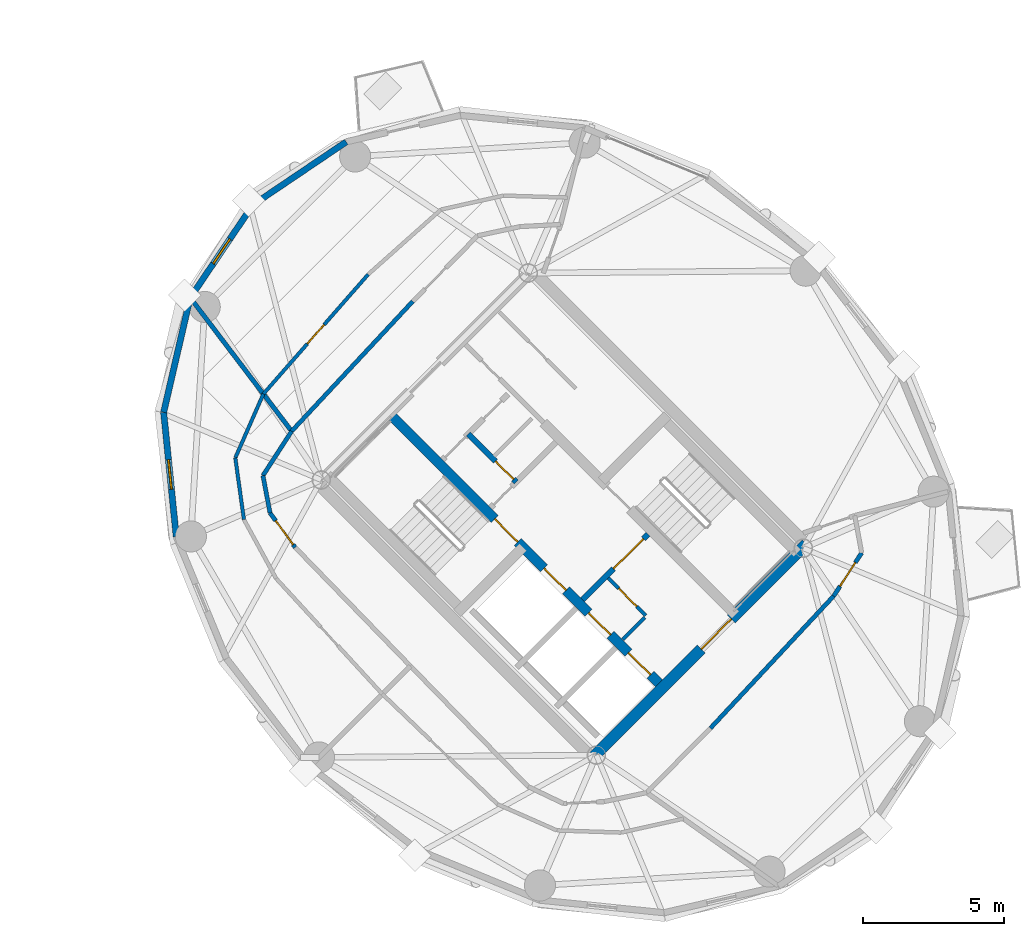
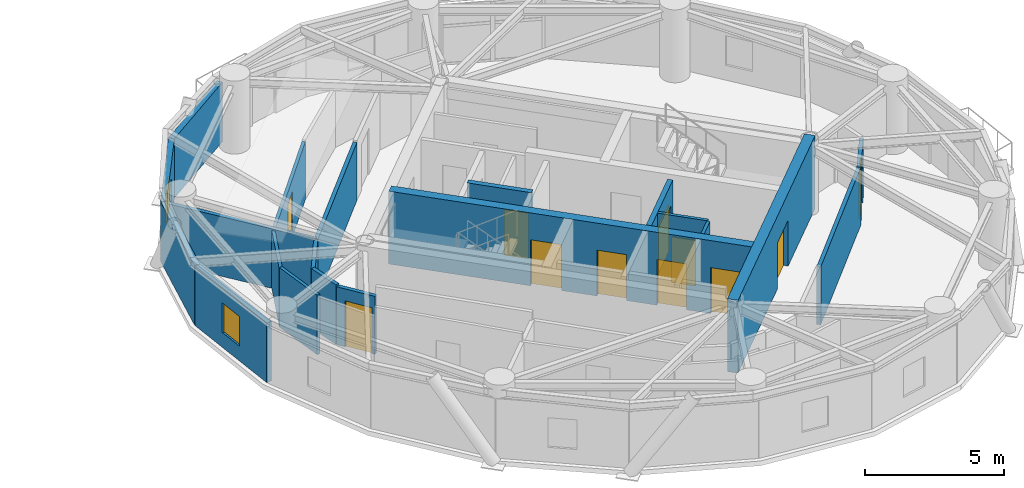
# One storey, part 11 of 16: 20 walls, 11 doors, 2 windows, 13 openings.
"""IFC4 building model written with IfcOpenShell, lengths in metres."""

from ifc_helpers import new_model, si_unit, direction, frame, frame_2d, origin, place, context, subcontext, project, spatial, rectangle, extrude, source, transform, mapped, material, layer, layer_set, type_object, element, fill, save


model = new_model("IFC4")

# Units and contexts
model_context = context("Model", 3, precision=1e-05, world=origin(), true_north=direction((0.0, 1.0)))
body_context = subcontext(model_context, "Body", "Model", "MODEL_VIEW")
ifc_project = project(units=[si_unit("LENGTHUNIT", "METRE"), si_unit("AREAUNIT", "SQUARE_METRE"), si_unit("VOLUMEUNIT", "CUBIC_METRE"), si_unit("PLANEANGLEUNIT", "RADIAN"), si_unit("MASSUNIT", "GRAM", prefix="KILO")], contexts=[model_context])

# Site, building, storey
site_placement = place(None, origin())
site = spatial("IfcSite", under=ifc_project, at=site_placement, CompositionType="ELEMENT")
building_placement = place(site_placement, origin())
building = spatial("IfcBuilding", under=site, at=building_placement, Name="Cununo Teusaquillo Station Towers", CompositionType="ELEMENT")
storey_placement = place(building_placement, frame((0.0, 0.0, 226.050048828125)))
storey = spatial("IfcBuildingStorey", under=building, at=storey_placement, Name="L72", CompositionType="ELEMENT", Elevation=226.050048828125)

# Wall, openings, doors
ifc_material_1 = material(Name="Concrete C50/60", Category="concrete")
ifc_layer_1 = layer(ifc_material_1, 0.35009765625)
ifc_layer_set_1 = layer_set([ifc_layer_1], Name="Concrete C50/60")
wall_type_1 = type_object("IfcWallType", Name="WL-CORE-350", PredefinedType="SHEAR", material=ifc_layer_set_1)
wall_1_placement = place(storey_placement, frame((61.060302734375, 18.372802734375, 0.0), z_axis=(0.0, 0.0, 1.0), x_axis=(-0.707106781187, 0.707106781187, 0.0)))
wall_1 = element("IfcWall", 1, at=wall_1_placement, inside=storey, type_object=wall_type_1, Name="L72 Tower B Core Shear Wall IW", PredefinedType="SHEAR", context=body_context, shape_type="SweptSolid", body=[
    extrude(rectangle(XDim=13.7001953125, YDim=0.35009765625, at=frame_2d((6.85009765625, 0.0))), origin(), (0.0, 0.0, 1.0), 3.199951171875),
])
shared_shape_1 = source(origin(), body_context, "Body", "SweptSolid", [
    extrude(rectangle(XDim=1.10009765625, YDim=2.014892578125, at=frame_2d((0.550048828125, 1.00732421875))), frame((0.0, 0.18505859375, 0.0), z_axis=(0.0, -1.0, 0.0), x_axis=(1.0, 0.0, 0.0)), (0.0, 0.0, 1.0), 0.3701171875),
])
opening_1_placement = place(wall_1_placement, frame((4.85009765625, 0.0, 0.0)))
opening_1 = element("IfcOpeningElement", 2, at=opening_1_placement, cuts=wall_1, Name="Opening LD-01", PredefinedType="OPENING", context=body_context, shape_type="MappedRepresentation", body=[
    mapped(shared_shape_1, transform((0.0, 0.0, 0.0), x_axis=(1.0, 0.0, 0.0), y_axis=(0.0, 1.0, 0.0), z_axis=(0.0, 0.0, 1.0), scale=1.0)),
])
opening_2_placement = place(wall_1_placement, frame((0.625, 0.0, 0.0)))
opening_2 = element("IfcOpeningElement", 3, at=opening_2_placement, cuts=wall_1, Name="Opening LD-01", PredefinedType="OPENING", context=body_context, shape_type="MappedRepresentation", body=[
    mapped(shared_shape_1, transform((0.0, 0.0, 0.0), x_axis=(1.0, 0.0, 0.0), y_axis=(0.0, 1.0, 0.0), z_axis=(0.0, 0.0, 1.0), scale=1.0)),
])
opening_3_placement = place(wall_1_placement, frame((2.625, 0.0, 0.0)))
opening_3 = element("IfcOpeningElement", 4, at=opening_3_placement, cuts=wall_1, Name="Opening LD-01", PredefinedType="OPENING", context=body_context, shape_type="MappedRepresentation", body=[
    mapped(shared_shape_1, transform((0.0, 0.0, 0.0), x_axis=(1.0, 0.0, 0.0), y_axis=(0.0, 1.0, 0.0), z_axis=(0.0, 0.0, 1.0), scale=1.0)),
])
shared_shape_2 = source(origin(), body_context, "Body", "SweptSolid", [
    extrude(rectangle(XDim=1.14990234375, YDim=2.02001953125, at=frame_2d((0.574951171875, 1.010009765625))), frame((0.0, 0.18505859375, 0.0), z_axis=(0.0, -1.0, 0.0), x_axis=(1.0, 0.0, 0.0)), (0.0, 0.0, 1.0), 0.3701171875),
])
opening_4_placement = place(wall_1_placement, frame((7.27001953125, 0.0, 0.0)))
opening_4 = element("IfcOpeningElement", 5, at=opening_4_placement, cuts=wall_1, Name="Opening D-ST1", PredefinedType="OPENING", context=body_context, shape_type="MappedRepresentation", body=[
    mapped(shared_shape_2, transform((0.0, 0.0, 0.0), x_axis=(1.0, 0.0, 0.0), y_axis=(0.0, 1.0, 0.0), z_axis=(0.0, 0.0, 1.0), scale=1.0)),
])
ifc_material_2 = material(Name="Galvanised fire-rated hollow steel door assembly", Category="steel")
door_type_1 = type_object("IfcDoorType", Name="DR-LIFT-1100", OperationType="SLIDING_TO_LEFT", PredefinedType="DOOR", material=ifc_material_2)
shared_shape_3 = source(origin(), body_context, "Body", "SweptSolid", [
    extrude(rectangle(XDim=1.10009765625, YDim=2.014892578125, at=frame_2d((0.550048828125, 1.00732421875))), frame((0.0, 0.02490234375, 0.0), z_axis=(0.0, -1.0, 0.0), x_axis=(1.0, 0.0, 0.0)), (0.0, 0.0, 1.0), 0.050048828125),
])
door_1_placement = place(opening_1_placement, origin())
door_1 = element("IfcDoor", 6, at=door_1_placement, inside=storey, type_object=door_type_1, Name="L72 Lift FL-T2 Sliding Landing Door", OperationType="SLIDING_TO_RIGHT", OverallHeight=2.014892578125, OverallWidth=1.10009765625, PredefinedType="DOOR", context=body_context, shape_type="MappedRepresentation", body=[
    mapped(shared_shape_3, transform((0.0, 0.0, 0.0), x_axis=(1.0, 0.0, 0.0), y_axis=(0.0, 1.0, 0.0), z_axis=(0.0, 0.0, 1.0), scale=1.0)),
])
fill(opening_1, door_1)
door_2_placement = place(opening_2_placement, origin())
door_2 = element("IfcDoor", 7, at=door_2_placement, inside=storey, type_object=door_type_1, Name="L72 Lift PL-T2-H1 Sliding Landing Door", OperationType="SLIDING_TO_RIGHT", OverallHeight=2.014892578125, OverallWidth=1.10009765625, PredefinedType="DOOR", context=body_context, shape_type="MappedRepresentation", body=[
    mapped(shared_shape_3, transform((0.0, 0.0, 0.0), x_axis=(1.0, 0.0, 0.0), y_axis=(0.0, 1.0, 0.0), z_axis=(0.0, 0.0, 1.0), scale=1.0)),
])
fill(opening_2, door_2)
door_3_placement = place(opening_3_placement, origin())
door_3 = element("IfcDoor", 8, at=door_3_placement, inside=storey, type_object=door_type_1, Name="L72 Lift PL-T2-H2 Sliding Landing Door", OperationType="SLIDING_TO_LEFT", OverallHeight=2.014892578125, OverallWidth=1.10009765625, PredefinedType="DOOR", context=body_context, shape_type="MappedRepresentation", body=[
    mapped(shared_shape_3, transform((0.0, 0.0, 0.0), x_axis=(1.0, 0.0, 0.0), y_axis=(0.0, 1.0, 0.0), z_axis=(0.0, 0.0, 1.0), scale=1.0)),
])
fill(opening_3, door_3)
ifc_material_3 = material(Name="Galvanised fire-rated hollow steel door assembly", Category="steel")
door_type_2 = type_object("IfcDoorType", Name="DR-STAIR-1150", OperationType="NOTDEFINED", PredefinedType="DOOR", material=ifc_material_3)
shared_shape_4 = source(origin(), body_context, "Body", "SweptSolid", [
    extrude(rectangle(XDim=1.14990234375, YDim=2.02001953125, at=frame_2d((0.574951171875, 1.010009765625))), frame((0.0, 0.02490234375, 0.0), z_axis=(0.0, -1.0, 0.0), x_axis=(1.0, 0.0, 0.0)), (0.0, 0.0, 1.0), 0.050048828125),
])
door_4_placement = place(opening_4_placement, origin())
door_4 = element("IfcDoor", 9, at=door_4_placement, inside=storey, type_object=door_type_2, Name="L72 Tower B Exit Stair 1 Fire Door", OperationType="SINGLE_SWING_RIGHT", OverallHeight=2.02001953125, OverallWidth=1.14990234375, PredefinedType="DOOR", context=body_context, shape_type="MappedRepresentation", body=[
    mapped(shared_shape_4, transform((0.0, 0.0, 0.0), x_axis=(1.0, 0.0, 0.0), y_axis=(0.0, 1.0, 0.0), z_axis=(0.0, 0.0, 1.0), scale=1.0)),
])
fill(opening_4, door_4)

# Wall, opening, door
ifc_material_4 = material(Name="Concrete C50/60", Category="concrete")
ifc_layer_2 = layer(ifc_material_4, 0.39990234375)
ifc_layer_set_2 = layer_set([ifc_layer_2], Name="Concrete C50/60")
wall_type_2 = type_object("IfcWallType", Name="WL-CORE-400", PredefinedType="SHEAR", material=ifc_layer_set_2)
wall_2_placement = place(storey_placement, frame((58.560791015625, 15.873291015625, 0.0), z_axis=(0.0, 0.0, 1.0), x_axis=(0.707106781187, 0.707106781187, 0.0)))
wall_2 = element("IfcWall", 10, at=wall_2_placement, inside=storey, type_object=wall_type_2, Name="L72 Tower B Core Shear Wall S", PredefinedType="SHEAR", context=body_context, shape_type="SweptSolid", body=[
    extrude(rectangle(XDim=10.69970703125, YDim=0.39990234375, at=frame_2d((5.349853515625, 0.0))), origin(), (0.0, 0.0, 1.0), 3.199951171875),
])
shared_shape_5 = source(origin(), body_context, "Body", "SweptSolid", [
    extrude(rectangle(XDim=1.5, YDim=2.02001953125, at=frame_2d((0.75, 1.010009765625))), frame((0.0, 0.2099609375, 0.0), z_axis=(0.0, -1.0, 0.0), x_axis=(1.0, 0.0, 0.0)), (0.0, 0.0, 1.0), 0.419921875),
])
opening_5_placement = place(wall_2_placement, frame((5.449951171875, 0.0, 0.0)))
opening_5 = element("IfcOpeningElement", 11, at=opening_5_placement, cuts=wall_2, Name="Opening D-LB1", PredefinedType="OPENING", context=body_context, shape_type="MappedRepresentation", body=[
    mapped(shared_shape_5, transform((0.0, 0.0, 0.0), x_axis=(1.0, 0.0, 0.0), y_axis=(0.0, 1.0, 0.0), z_axis=(0.0, 0.0, 1.0), scale=1.0)),
])
ifc_material_5 = material(Name="Galvanised fire-rated hollow steel door assembly", Category="steel")
door_type_3 = type_object("IfcDoorType", Name="DR-LOBBY-1500", OperationType="DOUBLE_DOOR_SINGLE_SWING", PredefinedType="DOOR", material=ifc_material_5)
shared_shape_6 = source(origin(), body_context, "Body", "SweptSolid", [
    extrude(rectangle(XDim=1.5, YDim=2.02001953125, at=frame_2d((0.75, 1.010009765625))), frame((0.0, 0.02490234375, 0.0), z_axis=(0.0, -1.0, 0.0), x_axis=(1.0, 0.0, 0.0)), (0.0, 0.0, 1.0), 0.050048828125),
])
door_5_placement = place(opening_5_placement, origin())
door_5 = element("IfcDoor", 12, at=door_5_placement, inside=storey, type_object=door_type_3, Name="L72 Tower B South Core Lift Lobby Door", OperationType="DOUBLE_DOOR_SINGLE_SWING", OverallHeight=2.02001953125, OverallWidth=1.5, PredefinedType="DOOR", context=body_context, shape_type="MappedRepresentation", body=[
    mapped(shared_shape_6, transform((0.0, 0.0, 0.0), x_axis=(1.0, 0.0, 0.0), y_axis=(0.0, 1.0, 0.0), z_axis=(0.0, 0.0, 1.0), scale=1.0)),
])
fill(opening_5, door_5)

# Wall
ifc_material_6 = material(Name="Precast concrete C40/50", Category="concrete")
ifc_layer_3 = layer(ifc_material_6, 0.219970703125)
ifc_layer_set_3 = layer_set([ifc_layer_3], Name="Precast concrete C40/50")
wall_type_3 = type_object("IfcWallType", Name="WL-EXT-220", PredefinedType="SOLIDWALL", material=ifc_layer_set_3)
wall_3_placement = place(storey_placement, frame((46.56103515625, 35.43896484375, 0.0), z_axis=(0.0, 0.0, 1.0), x_axis=(0.828833723692, 0.559495003079, 0.0)))
element("IfcWall", 13, at=wall_3_placement, inside=storey, type_object=wall_type_3, Name="L72 Tower B Exterior Facade Wall C04", PredefinedType="SOLIDWALL", context=body_context, shape_type="SweptSolid", body=[
    extrude(rectangle(XDim=3.9755859375, YDim=0.219970703125, at=frame_2d((1.98779296875, 0.0))), origin(), (0.0, 0.0, 1.0), 2.612060546875),
])

# Wall, opening, window
wall_4_placement = place(storey_placement, frame((44.336669921875, 32.143798828125, 0.0), z_axis=(0.0, 0.0, 1.0), x_axis=(0.559495003079, 0.828833723692, 0.0)))
wall_4 = element("IfcWall", 14, at=wall_4_placement, inside=storey, type_object=wall_type_3, Name="L72 Tower B Exterior Facade Wall C05", PredefinedType="SOLIDWALL", context=body_context, shape_type="SweptSolid", body=[
    extrude(rectangle(XDim=3.9755859375, YDim=0.219970703125, at=frame_2d((1.98779296875, 0.0))), origin(), (0.0, 0.0, 1.0), 2.612060546875),
])
shared_shape_7 = source(origin(), body_context, "Body", "SweptSolid", [
    extrude(rectangle(XDim=1.050048828125, YDim=1.300048828125, at=frame_2d((0.52490234375, 0.64990234375))), frame((0.0, 0.119873046875, 0.0), z_axis=(0.0, -1.0, 0.0), x_axis=(1.0, 0.0, 0.0)), (0.0, 0.0, 1.0), 0.239990234375),
])
opening_6_placement = place(wall_4_placement, frame((1.462890625, 0.0, 0.64990234375)))
opening_6 = element("IfcOpeningElement", 15, at=opening_6_placement, cuts=wall_4, Name="Opening WN-04", PredefinedType="OPENING", context=body_context, shape_type="MappedRepresentation", body=[
    mapped(shared_shape_7, transform((0.0, 0.0, 0.0), x_axis=(1.0, 0.0, 0.0), y_axis=(0.0, 1.0, 0.0), z_axis=(0.0, 0.0, 1.0), scale=1.0)),
])
ifc_material_7 = material(Name="Operable acoustic tinted low-E double glazing", Category="glass")
window_type = type_object("IfcWindowType", Name="WIN-BAL-1050", PartitioningType="SINGLE_PANEL", PredefinedType="WINDOW", material=ifc_material_7)
shared_shape_8 = source(origin(), body_context, "Body", "SweptSolid", [
    extrude(rectangle(XDim=1.050048828125, YDim=1.300048828125, at=frame_2d((0.52490234375, 0.64990234375))), frame((0.0, 0.030029296875, 0.0), z_axis=(0.0, -1.0, 0.0), x_axis=(1.0, 0.0, 0.0)), (0.0, 0.0, 1.0), 0.06005859375),
])
window_1_placement = place(opening_6_placement, origin())
window_1 = element("IfcWindow", 16, at=window_1_placement, inside=storey, type_object=window_type, Name="L72 Tower B Facade Window C05", OverallHeight=1.300048828125, OverallWidth=1.050048828125, PartitioningType="SINGLE_PANEL", PredefinedType="WINDOW", context=body_context, shape_type="MappedRepresentation", body=[
    mapped(shared_shape_8, transform((0.0, 0.0, 0.0), x_axis=(1.0, 0.0, 0.0), y_axis=(0.0, 1.0, 0.0), z_axis=(0.0, 0.0, 1.0), scale=1.0)),
])
fill(opening_6, window_1)

# Wall
wall_5_placement = place(storey_placement, frame((43.40087890625, 28.100341796875, 0.0), z_axis=(0.0, 0.0, 1.0), x_axis=(0.225473813158, 0.974249228678, 0.0)))
element("IfcWall", 17, at=wall_5_placement, inside=storey, type_object=wall_type_3, Name="L72 Tower B Exterior Facade Wall C06", PredefinedType="SOLIDWALL", context=body_context, shape_type="SweptSolid", body=[
    extrude(rectangle(XDim=4.150390625, YDim=0.219970703125, at=frame_2d((2.0751953125, 0.0))), origin(), (0.0, 0.0, 1.0), 2.612060546875),
])

# Wall, opening, window
wall_6_placement = place(storey_placement, frame((43.84521484375, 23.70458984375, 0.0), z_axis=(0.0, 0.0, 1.0), x_axis=(-0.100570534541, 0.994929930991, 0.0)))
wall_6 = element("IfcWall", 18, at=wall_6_placement, inside=storey, type_object=wall_type_3, Name="L72 Tower B Exterior Facade Wall C07", PredefinedType="SOLIDWALL", context=body_context, shape_type="SweptSolid", body=[
    extrude(rectangle(XDim=4.418212890625, YDim=0.219970703125, at=frame_2d((2.208984375, 0.0))), origin(), (0.0, 0.0, 1.0), 2.612060546875),
])
opening_7_placement = place(wall_6_placement, frame((1.68408203125, 0.0, 0.64990234375)))
opening_7 = element("IfcOpeningElement", 19, at=opening_7_placement, cuts=wall_6, Name="Opening WN-04", PredefinedType="OPENING", context=body_context, shape_type="MappedRepresentation", body=[
    mapped(shared_shape_7, transform((0.0, 0.0, 0.0), x_axis=(1.0, 0.0, 0.0), y_axis=(0.0, 1.0, 0.0), z_axis=(0.0, 0.0, 1.0), scale=1.0)),
])
window_2_placement = place(opening_7_placement, origin())
window_2 = element("IfcWindow", 20, at=window_2_placement, inside=storey, type_object=window_type, Name="L72 Tower B Facade Window C07", OverallHeight=1.300048828125, OverallWidth=1.050048828125, PartitioningType="SINGLE_PANEL", PredefinedType="WINDOW", context=body_context, shape_type="MappedRepresentation", body=[
    mapped(shared_shape_8, transform((0.0, 0.0, 0.0), x_axis=(1.0, 0.0, 0.0), y_axis=(0.0, 1.0, 0.0), z_axis=(0.0, 0.0, 1.0), scale=1.0)),
])
fill(opening_7, window_2)

# Wall, opening, door
ifc_material_8 = material(Name="Fire-rated gypsum plasterboard partition assembly", Category="gypsum")
ifc_layer_4 = layer(ifc_material_8, 0.125)
ifc_layer_set_4 = layer_set([ifc_layer_4], Name="Fire-rated gypsum plasterboard partition assembly")
wall_type_4 = type_object("IfcWallType", Name="WL-PART-125", PredefinedType="PARTITIONING", material=ifc_layer_set_4)
wall_7_placement = place(storey_placement, frame((60.448486328125, 20.9150390625, 0.0), z_axis=(0.0, 0.0, 1.0), x_axis=(-0.707106781187, 0.707106781187, 0.0)))
wall_7 = element("IfcWall", 21, at=wall_7_placement, inside=storey, type_object=wall_type_4, Name="L72 Tower B North-West Lobby Store East Wall", PredefinedType="PARTITIONING", context=body_context, shape_type="SweptSolid", body=[
    extrude(rectangle(XDim=1.869873046875, YDim=0.125, at=frame_2d((0.93505859375, 0.0))), origin(), (0.0, 0.0, 1.0), 2.974853515625),
])
shared_shape_9 = source(origin(), body_context, "Body", "SweptSolid", [
    extrude(rectangle(XDim=0.89990234375, YDim=2.0048828125, at=frame_2d((0.449951171875, 1.00244140625))), frame((0.0, 0.072509765625, 0.0), z_axis=(0.0, -1.0, 0.0), x_axis=(1.0, 0.0, 0.0)), (0.0, 0.0, 1.0), 0.14501953125),
])
opening_8_placement = place(wall_7_placement, frame((0.449951171875, 0.0, 0.0)))
opening_8 = element("IfcOpeningElement", 22, at=opening_8_placement, cuts=wall_7, Name="Opening D-SR1", PredefinedType="OPENING", context=body_context, shape_type="MappedRepresentation", body=[
    mapped(shared_shape_9, transform((0.0, 0.0, 0.0), x_axis=(1.0, 0.0, 0.0), y_axis=(0.0, 1.0, 0.0), z_axis=(0.0, 0.0, 1.0), scale=1.0)),
])
ifc_material_9 = material(Name="Galvanised fire-rated hollow steel door assembly", Category="steel")
door_type_4 = type_object("IfcDoorType", Name="DR-STORE-900", OperationType="NOTDEFINED", PredefinedType="DOOR", material=ifc_material_9)
shared_shape_10 = source(origin(), body_context, "Body", "SweptSolid", [
    extrude(rectangle(XDim=0.89990234375, YDim=2.0048828125, at=frame_2d((0.449951171875, 1.00244140625))), frame((0.0, 0.02490234375, 0.0), z_axis=(0.0, -1.0, 0.0), x_axis=(1.0, 0.0, 0.0)), (0.0, 0.0, 1.0), 0.050048828125),
])
door_6_placement = place(opening_8_placement, origin())
door_6 = element("IfcDoor", 23, at=door_6_placement, inside=storey, type_object=door_type_4, Name="L72 Tower B South Lobby Data Store Door", OperationType="SINGLE_SWING_RIGHT", OverallHeight=2.0048828125, OverallWidth=0.89990234375, PredefinedType="DOOR", context=body_context, shape_type="MappedRepresentation", body=[
    mapped(shared_shape_10, transform((0.0, 0.0, 0.0), x_axis=(1.0, 0.0, 0.0), y_axis=(0.0, 1.0, 0.0), z_axis=(0.0, 0.0, 1.0), scale=1.0)),
])
fill(opening_8, door_6)

# Wall
wall_8_placement = place(storey_placement, frame((59.642578125, 20.06640625, 0.0), z_axis=(0.0, 0.0, 1.0), x_axis=(0.707106781187, 0.707106781187, 0.0)))
element("IfcWall", 24, at=wall_8_placement, inside=storey, type_object=wall_type_4, Name="L72 Tower B North-West Lobby Store South Wall", PredefinedType="PARTITIONING", context=body_context, shape_type="SweptSolid", body=[
    extrude(rectangle(XDim=1.10009765625, YDim=0.125, at=frame_2d((0.550048828125, 0.0))), origin(), (0.0, 0.0, 1.0), 2.974853515625),
])

# Wall, opening, door
wall_9_placement = place(storey_placement, frame((50.6337890625, 32.9765625, 0.0), z_axis=(0.0, 0.0, 1.0), x_axis=(-0.659241945747, -0.751930885765, 0.0)))
wall_9 = element("IfcWall", 25, at=wall_9_placement, inside=storey, type_object=wall_type_4, Name="L72 Tower B 300-Metre Panoramic Dining Hall Concentric Partition Wall C05", PredefinedType="PARTITIONING", context=body_context, shape_type="SweptSolid", body=[
    extrude(rectangle(XDim=5.62353515625, YDim=0.125, at=frame_2d((2.811767578125, 0.0))), origin(), (0.0, 0.0, 1.0), 2.544921875),
])
opening_9_placement = place(wall_9_placement, frame((2.36181640625, 0.0, 0.0)))
opening_9 = element("IfcOpeningElement", 26, at=opening_9_placement, cuts=wall_9, Name="Opening D-IN1", PredefinedType="OPENING", context=body_context, shape_type="MappedRepresentation", body=[
    mapped(shared_shape_9, transform((0.0, 0.0, 0.0), x_axis=(1.0, 0.0, 0.0), y_axis=(0.0, 1.0, 0.0), z_axis=(0.0, 0.0, 1.0), scale=1.0)),
])
ifc_material_10 = material(Name="Acoustic solid-core hardwood leaf assembly", Category="wood")
door_type_5 = type_object("IfcDoorType", Name="DR-INT-900", OperationType="NOTDEFINED", PredefinedType="DOOR", material=ifc_material_10)
door_7_placement = place(opening_9_placement, origin())
door_7 = element("IfcDoor", 27, at=door_7_placement, inside=storey, type_object=door_type_5, Name="L72 Tower B 300-Metre Panoramic Dining Hall Connecting Door", OperationType="SINGLE_SWING_RIGHT", OverallHeight=2.0048828125, OverallWidth=0.89990234375, PredefinedType="DOOR", context=body_context, shape_type="MappedRepresentation", body=[
    mapped(shared_shape_10, transform((0.0, 0.0, 0.0), x_axis=(1.0, 0.0, 0.0), y_axis=(0.0, 1.0, 0.0), z_axis=(0.0, 0.0, 1.0), scale=1.0)),
])
fill(opening_9, door_7)

# Walls
wall_10_placement = place(storey_placement, frame((46.926513671875, 28.748046875, 0.0), z_axis=(0.0, 0.0, 1.0), x_axis=(-0.401820136661, -0.91571861277, 0.0)))
element("IfcWall", 28, at=wall_10_placement, inside=storey, type_object=wall_type_4, Name="L72 Tower B Chef Tasting Counter & Wine Vault Concentric Partition Wall C06", PredefinedType="PARTITIONING", context=body_context, shape_type="SweptSolid", body=[
    extrude(rectangle(XDim=2.468017578125, YDim=0.125, at=frame_2d((1.23388671875, 0.0))), origin(), (0.0, 0.0, 1.0), 2.544921875),
])
wall_11_placement = place(storey_placement, frame((45.934814453125, 26.488037109375, 0.0), z_axis=(0.0, 0.0, 1.0), x_axis=(0.138347758345, -0.990383712387, 0.0)))
element("IfcWall", 29, at=wall_11_placement, inside=storey, type_object=wall_type_4, Name="L72 Tower B Chef Tasting Counter & Wine Vault Concentric Partition Wall C07", PredefinedType="PARTITIONING", context=body_context, shape_type="SweptSolid", body=[
    extrude(rectangle(XDim=2.202392578125, YDim=0.125, at=frame_2d((1.10107421875, 0.0))), origin(), (0.0, 0.0, 1.0), 2.612060546875),
])
ifc_material_11 = material(Name="Fire-rated gypsum plasterboard partition assembly", Category="gypsum")
ifc_layer_5 = layer(ifc_material_11, 0.14990234375)
ifc_layer_set_5 = layer_set([ifc_layer_5], Name="Fire-rated gypsum plasterboard partition assembly")
wall_type_5 = type_object("IfcWallType", Name="WL-PART-150", PredefinedType="PARTITIONING", material=ifc_layer_set_5)
wall_12_placement = place(storey_placement, frame((52.21240234375, 32.0244140625, 0.0), z_axis=(0.0, 0.0, 1.0), x_axis=(-0.682158998173, -0.731203871169, 0.0)))
element("IfcWall", 30, at=wall_12_placement, inside=storey, type_object=wall_type_5, Name="L72 Tower B Corridor Ring Wall C05", PredefinedType="PARTITIONING", context=body_context, shape_type="SweptSolid", body=[
    extrude(rectangle(XDim=6.2822265625, YDim=0.14990234375, at=frame_2d((3.14111328125, 0.0))), origin(), (0.0, 0.0, 1.0), 2.544921875),
])
wall_13_placement = place(storey_placement, frame((47.927001953125, 27.430908203125, 0.0), z_axis=(0.0, 0.0, 1.0), x_axis=(-0.543126643356, -0.839650790077, 0.0)))
element("IfcWall", 31, at=wall_13_placement, inside=storey, type_object=wall_type_5, Name="L72 Tower B Corridor Ring Wall C06", PredefinedType="PARTITIONING", context=body_context, shape_type="SweptSolid", body=[
    extrude(rectangle(XDim=1.8681640625, YDim=0.14990234375, at=frame_2d((0.93408203125, 0.0))), origin(), (0.0, 0.0, 1.0), 2.544921875),
])
wall_14_placement = place(storey_placement, frame((46.912353515625, 25.8623046875, 0.0), z_axis=(0.0, 0.0, 1.0), x_axis=(0.186095172215, -0.98253172309, 0.0)))
element("IfcWall", 32, at=wall_14_placement, inside=storey, type_object=wall_type_5, Name="L72 Tower B Corridor Ring Wall C07", PredefinedType="PARTITIONING", context=body_context, shape_type="SweptSolid", body=[
    extrude(rectangle(XDim=1.345947265625, YDim=0.14990234375, at=frame_2d((0.6728515625, 0.0))), origin(), (0.0, 0.0, 1.0), 2.612060546875),
])

# Wall, opening, door
wall_15_placement = place(storey_placement, frame((47.162841796875, 24.539794921875, 0.0), z_axis=(0.0, 0.0, 1.0), x_axis=(0.589711902124, -0.807613690135, 0.0)))
wall_15 = element("IfcWall", 33, at=wall_15_placement, inside=storey, type_object=wall_type_5, Name="L72 Tower B Corridor Ring Wall C08", PredefinedType="PARTITIONING", context=body_context, shape_type="SweptSolid", body=[
    extrude(rectangle(XDim=1.507080078125, YDim=0.14990234375, at=frame_2d((0.75341796875, 0.0))), origin(), (0.0, 0.0, 1.0), 2.544921875),
])
shared_shape_11 = source(origin(), body_context, "Body", "SweptSolid", [
    extrude(rectangle(XDim=1.050048828125, YDim=2.014892578125, at=frame_2d((0.52490234375, 1.00732421875))), frame((0.0, 0.0849609375, 0.0), z_axis=(0.0, -1.0, 0.0), x_axis=(1.0, 0.0, 0.0)), (0.0, 0.0, 1.0), 0.169921875),
])
opening_10_placement = place(wall_15_placement, frame((0.3369140625, 0.0, 0.0)))
opening_10 = element("IfcOpeningElement", 34, at=opening_10_placement, cuts=wall_15, Name="Opening D-SU1", PredefinedType="OPENING", context=body_context, shape_type="MappedRepresentation", body=[
    mapped(shared_shape_11, transform((0.0, 0.0, 0.0), x_axis=(1.0, 0.0, 0.0), y_axis=(0.0, 1.0, 0.0), z_axis=(0.0, 0.0, 1.0), scale=1.0)),
])
ifc_material_12 = material(Name="Acoustic solid-core hardwood leaf assembly", Category="wood")
door_type_6 = type_object("IfcDoorType", Name="DR-SUITE-1050", OperationType="NOTDEFINED", PredefinedType="DOOR", material=ifc_material_12)
shared_shape_12 = source(origin(), body_context, "Body", "SweptSolid", [
    extrude(rectangle(XDim=1.050048828125, YDim=2.014892578125, at=frame_2d((0.52490234375, 1.00732421875))), frame((0.0, 0.02490234375, 0.0), z_axis=(0.0, -1.0, 0.0), x_axis=(1.0, 0.0, 0.0)), (0.0, 0.0, 1.0), 0.050048828125),
])
door_8_placement = place(opening_10_placement, origin())
door_8 = element("IfcDoor", 35, at=door_8_placement, inside=storey, type_object=door_type_6, Name="L72 Tower B Chef Tasting Counter & Wine Vault Entrance Door", OperationType="SINGLE_SWING_LEFT", OverallHeight=2.014892578125, OverallWidth=1.050048828125, PredefinedType="DOOR", context=body_context, shape_type="MappedRepresentation", body=[
    mapped(shared_shape_12, transform((0.0, 0.0, 0.0), x_axis=(1.0, 0.0, 0.0), y_axis=(0.0, 1.0, 0.0), z_axis=(0.0, 0.0, 1.0), scale=1.0)),
])
fill(opening_10, door_8)

# Wall
wall_16_placement = place(storey_placement, frame((62.735595703125, 16.923828125, 0.0), z_axis=(0.0, 0.0, 1.0), x_axis=(0.681946700833, 0.731401871219, 0.0)))
element("IfcWall", 36, at=wall_16_placement, inside=storey, type_object=wall_type_5, Name="L72 Tower B Corridor Ring Wall C15", PredefinedType="PARTITIONING", context=body_context, shape_type="SweptSolid", body=[
    extrude(rectangle(XDim=6.392822265625, YDim=0.14990234375, at=frame_2d((3.1962890625, 0.0))), origin(), (0.0, 0.0, 1.0), 2.544921875),
])

# Wall, opening, door
wall_17_placement = place(storey_placement, frame((67.09521484375, 21.599609375, 0.0), z_axis=(0.0, 0.0, 1.0), x_axis=(0.543773190184, 0.839232219137, 0.0)))
wall_17 = element("IfcWall", 37, at=wall_17_placement, inside=storey, type_object=wall_type_5, Name="L72 Tower B Corridor Ring Wall C16", PredefinedType="PARTITIONING", context=body_context, shape_type="SweptSolid", body=[
    extrude(rectangle(XDim=1.82275390625, YDim=0.14990234375, at=frame_2d((0.911376953125, 0.0))), origin(), (0.0, 0.0, 1.0), 2.544921875),
])
shared_shape_13 = source(origin(), body_context, "Body", "SweptSolid", [
    extrude(rectangle(XDim=1.0, YDim=2.014892578125, at=frame_2d((0.5, 1.00732421875))), frame((0.0, 0.0849609375, 0.0), z_axis=(0.0, -1.0, 0.0), x_axis=(1.0, 0.0, 0.0)), (0.0, 0.0, 1.0), 0.169921875),
])
opening_11_placement = place(wall_17_placement, frame((0.41162109375, 0.0, 0.0)))
opening_11 = element("IfcOpeningElement", 38, at=opening_11_placement, cuts=wall_17, Name="Opening D-AC1", PredefinedType="OPENING", context=body_context, shape_type="MappedRepresentation", body=[
    mapped(shared_shape_13, transform((0.0, 0.0, 0.0), x_axis=(1.0, 0.0, 0.0), y_axis=(0.0, 1.0, 0.0), z_axis=(0.0, 0.0, 1.0), scale=1.0)),
])
ifc_material_13 = material(Name="Acoustic solid-core hardwood leaf assembly", Category="wood")
door_type_7 = type_object("IfcDoorType", Name="DR-ACC-1000", OperationType="NOTDEFINED", PredefinedType="DOOR", material=ifc_material_13)
shared_shape_14 = source(origin(), body_context, "Body", "SweptSolid", [
    extrude(rectangle(XDim=1.0, YDim=2.014892578125, at=frame_2d((0.5, 1.00732421875))), frame((0.0, 0.02490234375, 0.0), z_axis=(0.0, -1.0, 0.0), x_axis=(1.0, 0.0, 0.0)), (0.0, 0.0, 1.0), 0.050048828125),
])
door_9_placement = place(opening_11_placement, origin())
door_9 = element("IfcDoor", 39, at=door_9_placement, inside=storey, type_object=door_type_7, Name="L72 Tower B Public Accessible Restroom WC Entrance Door", OperationType="SINGLE_SWING_LEFT", OverallHeight=2.014892578125, OverallWidth=1.0, PredefinedType="DOOR", context=body_context, shape_type="MappedRepresentation", body=[
    mapped(shared_shape_14, transform((0.0, 0.0, 0.0), x_axis=(1.0, 0.0, 0.0), y_axis=(0.0, 1.0, 0.0), z_axis=(0.0, 0.0, 1.0), scale=1.0)),
])
fill(opening_11, door_9)

# Wall
ifc_material_14 = material(Name="Fire-rated gypsum plasterboard partition assembly", Category="gypsum")
ifc_layer_6 = layer(ifc_material_14, 0.159912109375)
ifc_layer_set_6 = layer_set([ifc_layer_6], Name="Fire-rated gypsum plasterboard partition assembly")
wall_type_6 = type_object("IfcWallType", Name="WL-PART-160", PredefinedType="PARTITIONING", material=ifc_layer_set_6)
wall_18_placement = place(storey_placement, frame((47.927001953125, 27.430908203125, 0.0), z_axis=(0.0, 0.0, 1.0), x_axis=(-0.604823333103, 0.796359677366, 0.0)))
element("IfcWall", 40, at=wall_18_placement, inside=storey, type_object=wall_type_6, Name="L72 Tower B Radial Suite Partition R02", PredefinedType="PARTITIONING", context=body_context, shape_type="SweptSolid", body=[
    extrude(rectangle(XDim=5.90673828125, YDim=0.159912109375, at=frame_2d((2.953369140625, 0.0))), origin(), (0.0, 0.0, 1.0), 2.612060546875),
])

# Wall, opening, door
ifc_material_15 = material(Name="Fire-rated gypsum plasterboard partition assembly", Category="gypsum")
ifc_layer_7 = layer(ifc_material_15, 0.199951171875)
ifc_layer_set_7 = layer_set([ifc_layer_7], Name="Fire-rated gypsum plasterboard partition assembly")
wall_type_7 = type_object("IfcWallType", Name="WL-PART-200", PredefinedType="PARTITIONING", material=ifc_layer_set_7)
wall_19_placement = place(storey_placement, frame((58.214111328125, 21.466552734375, 0.0), z_axis=(0.0, 0.0, 1.0), x_axis=(0.707106781187, 0.707106781187, 0.0)))
wall_19 = element("IfcWall", 41, at=wall_19_placement, inside=storey, type_object=wall_type_7, Name="L72 Tower B Firefighting Lift Lobby South Fire Wall", PredefinedType="PARTITIONING", context=body_context, shape_type="SweptSolid", body=[
    extrude(rectangle(XDim=3.280029296875, YDim=0.199951171875, at=frame_2d((1.64013671875, 0.0))), origin(), (0.0, 0.0, 1.0), 2.974853515625),
])
shared_shape_15 = source(origin(), body_context, "Body", "SweptSolid", [
    extrude(rectangle(XDim=1.5, YDim=2.02001953125, at=frame_2d((0.75, 1.010009765625))), frame((0.0, 0.10986328125, 0.0), z_axis=(0.0, -1.0, 0.0), x_axis=(1.0, 0.0, 0.0)), (0.0, 0.0, 1.0), 0.219970703125),
])
opening_12_placement = place(wall_19_placement, frame((1.550048828125, 0.0, 0.0)))
opening_12 = element("IfcOpeningElement", 42, at=opening_12_placement, cuts=wall_19, Name="Opening D-LB1", PredefinedType="OPENING", context=body_context, shape_type="MappedRepresentation", body=[
    mapped(shared_shape_15, transform((0.0, 0.0, 0.0), x_axis=(1.0, 0.0, 0.0), y_axis=(0.0, 1.0, 0.0), z_axis=(0.0, 0.0, 1.0), scale=1.0)),
])
door_10_placement = place(opening_12_placement, origin())
door_10 = element("IfcDoor", 43, at=door_10_placement, inside=storey, type_object=door_type_3, Name="L72 Tower B Firefighting Lift Lobby South Fire Door", OperationType="DOUBLE_DOOR_SINGLE_SWING", OverallHeight=2.02001953125, OverallWidth=1.5, PredefinedType="DOOR", context=body_context, shape_type="MappedRepresentation", body=[
    mapped(shared_shape_6, transform((0.0, 0.0, 0.0), x_axis=(1.0, 0.0, 0.0), y_axis=(0.0, 1.0, 0.0), z_axis=(0.0, 0.0, 1.0), scale=1.0)),
])
fill(opening_12, door_10)

wall_20_placement = place(storey_placement, frame((55.873779296875, 25.63134765625, 0.0), z_axis=(0.0, 0.0, 1.0), x_axis=(-0.707157639372, 0.707055919343, 0.0)))
wall_20 = element("IfcWall", 44, at=wall_20_placement, inside=storey, type_object=wall_type_7, Name="L72 Tower B Stair 1 Vestibule Partition Wall", PredefinedType="PARTITIONING", context=body_context, shape_type="SweptSolid", body=[
    extrude(rectangle(XDim=2.400146484375, YDim=0.199951171875, at=frame_2d((1.2001953125, 0.0))), origin(), (0.0, 0.0, 1.0), 2.974853515625),
])
shared_shape_16 = source(origin(), body_context, "Body", "SweptSolid", [
    extrude(rectangle(XDim=0.89990234375, YDim=2.0048828125, at=frame_2d((0.449951171875, 1.00244140625))), frame((0.0, 0.10986328125, 0.0), z_axis=(0.0, -1.0, 0.0), x_axis=(1.0, 0.0, 0.0)), (0.0, 0.0, 1.0), 0.219970703125),
])
opening_13_placement = place(wall_20_placement, frame((0.139892578125, 0.0, 0.0)))
opening_13 = element("IfcOpeningElement", 45, at=opening_13_placement, cuts=wall_20, Name="Opening D-SR1", PredefinedType="OPENING", context=body_context, shape_type="MappedRepresentation", body=[
    mapped(shared_shape_16, transform((0.0, 0.0, 0.0), x_axis=(1.0, 0.0, 0.0), y_axis=(0.0, 1.0, 0.0), z_axis=(0.0, 0.0, 1.0), scale=1.0)),
])
door_11_placement = place(opening_13_placement, origin())
door_11 = element("IfcDoor", 46, at=door_11_placement, inside=storey, type_object=door_type_4, Name="L72 Tower B Core Linen Store Door", OperationType="SINGLE_SWING_LEFT", OverallHeight=2.0048828125, OverallWidth=0.89990234375, PredefinedType="DOOR", context=body_context, shape_type="MappedRepresentation", body=[
    mapped(shared_shape_10, transform((0.0, 0.0, 0.0), x_axis=(1.0, 0.0, 0.0), y_axis=(0.0, 1.0, 0.0), z_axis=(0.0, 0.0, 1.0), scale=1.0)),
])
fill(opening_13, door_11)

save(model, "model.ifc")
